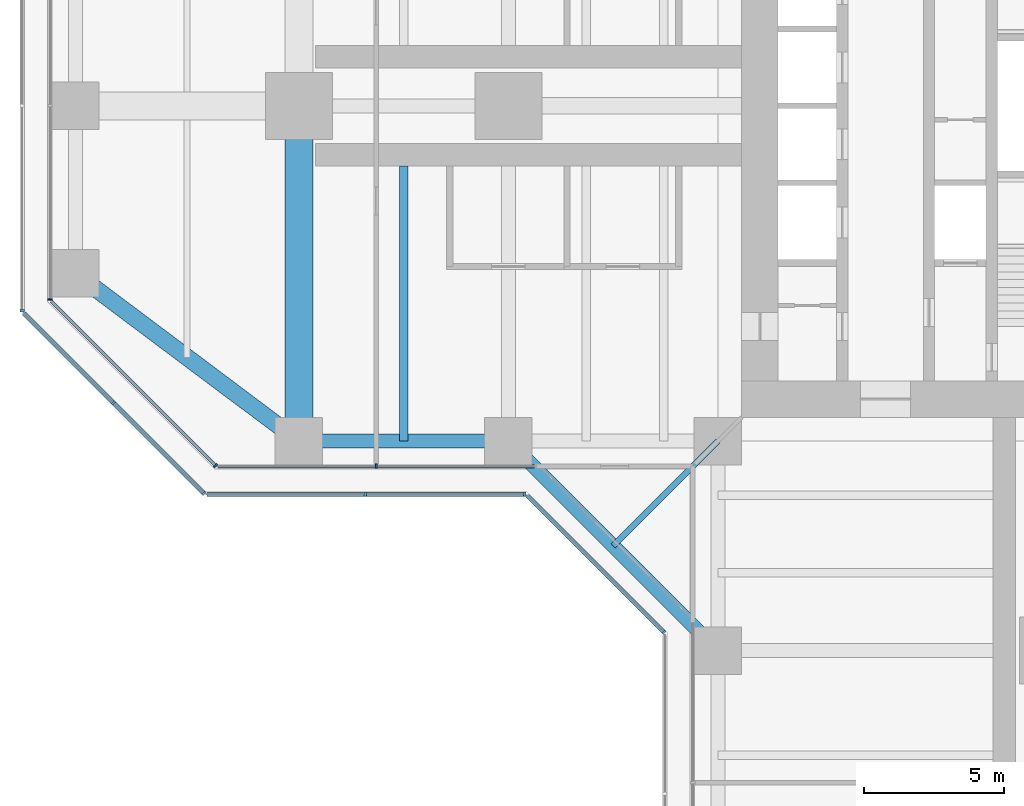
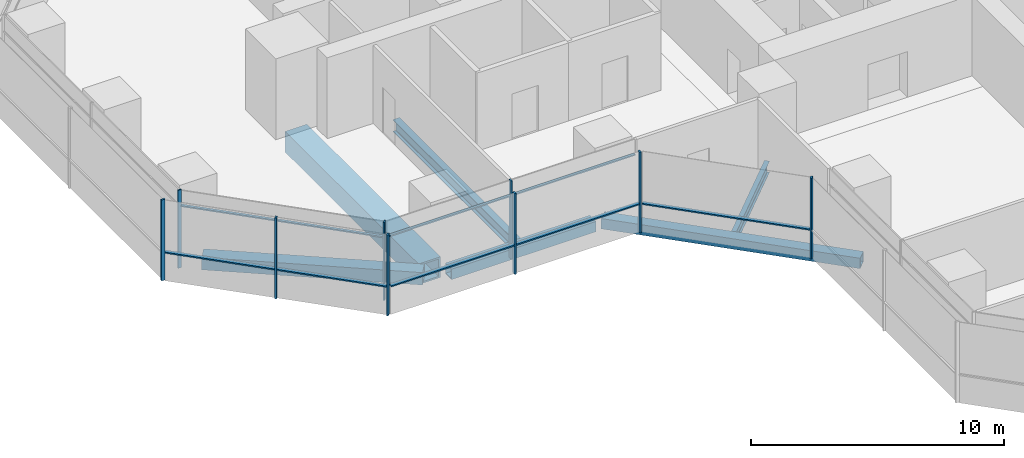
# One storey, part 3 of 22: 17 members, 6 beams, 7 elements without a shape of their own.
"""IFC4 building model written with IfcOpenShell, lengths in metres."""

from ifc_helpers import new_model, si_unit, direction, frame, origin, origin_2d, place, context, subcontext, project, spatial, rectangle, hollow_rectangle, i_section, extrude, material, material_profile, profile_set, type_object, element, aggregate, save


model = new_model("IFC4")

# Units and contexts
model_context = context("Model", 3, precision=1e-05, world=origin(), true_north=direction((0.0, 1.0)))
body_context = subcontext(model_context, "Body", "Model", "MODEL_VIEW")
ifc_project = project(units=[si_unit("LENGTHUNIT", "METRE"), si_unit("AREAUNIT", "SQUARE_METRE"), si_unit("VOLUMEUNIT", "CUBIC_METRE"), si_unit("PLANEANGLEUNIT", "RADIAN"), si_unit("MASSUNIT", "GRAM", prefix="KILO")], contexts=[model_context])

# Site, building, storey
site_placement = place(None, origin())
site = spatial("IfcSite", under=ifc_project, at=site_placement, CompositionType="ELEMENT")
building_placement = place(site_placement, origin())
building = spatial("IfcBuilding", under=site, at=building_placement, Name="Mizan Broadcast Tower", CompositionType="ELEMENT")
storey_placement = place(building_placement, frame((0.0, 0.0, 55.199951171875)))
storey = spatial("IfcBuildingStorey", under=building, at=storey_placement, Name="L10", CompositionType="ELEMENT", Elevation=55.199951171875)

# Beams
ifc_material_1 = material(Name="Steel S355", Category="steel")
ifc_material_profile_1 = material_profile(ifc_material_1, hollow_rectangle(XDim=0.5, YDim=0.5, WallThickness=0.030029296875, at=origin_2d()), Name="BOX 500x500x30")
ifc_profile_set_1 = profile_set([ifc_material_profile_1], Name="Steel S355")
beam_type_1 = type_object("IfcBeamType", Name="EDGE BEAM BOX 500x500x30", PredefinedType="SPANDREL", material=ifc_profile_set_1)
beam_1_placement = place(storey_placement, frame((-19.949951171875, -12.0, -0.3798828125), z_axis=(-1.0, 0.0, 0.0), x_axis=(0.0, -1.0, 0.0)))
element("IfcBeam", 1, at=beam_1_placement, inside=storey, type_object=beam_type_1, Name="Edge beam BOX 500x500x30 L10 west arm", PredefinedType="SPANDREL", context=body_context, shape_type="SweptSolid", body=[
    extrude(hollow_rectangle(XDim=0.5, YDim=0.5, WallThickness=0.030029296875, at=origin_2d()), origin(), (0.0, 0.0, 1.0), 6.60009765625),
])
beam_2_placement = place(storey_placement, frame((-19.5, -12.0, -0.3798828125), z_axis=(0.707106781187, -0.707106781187, 0.0), x_axis=(0.707106781187, 0.707106781187, 0.0)))
element("IfcBeam", 2, at=beam_2_placement, inside=storey, type_object=beam_type_1, Name="Winter garden edge beam L10 W", PredefinedType="SPANDREL", context=body_context, shape_type="SweptSolid", body=[
    extrude(hollow_rectangle(XDim=0.5, YDim=0.5, WallThickness=0.030029296875, at=origin_2d()), origin(), (0.0, 0.0, 1.0), 10.606689453125),
])
ifc_material_2 = material(Name="Steel S355", Category="steel")
ifc_material_profile_2 = material_profile(ifc_material_2, hollow_rectangle(XDim=0.60009765625, YDim=0.60009765625, WallThickness=0.030029296875, at=origin_2d()), Name="BOX 600x600x30")
ifc_profile_set_2 = profile_set([ifc_material_profile_2], Name="Steel S355")
beam_type_2 = type_object("IfcBeamType", Name="EDGE BEAM BOX 600x600x30", PredefinedType="SPANDREL", material=ifc_profile_set_2)
beam_3_placement = place(storey_placement, frame((-27.47998046875, -11.639892578125, -0.429931640625), z_axis=(-0.800013316712, 0.599982243973, 0.0), x_axis=(-0.599982243973, -0.800013316712, 0.0)))
element("IfcBeam", 3, at=beam_3_placement, inside=storey, type_object=beam_type_2, Name="Edge beam BOX 600x600x30 L10 west arm", PredefinedType="SPANDREL", context=body_context, shape_type="SweptSolid", body=[
    extrude(hollow_rectangle(XDim=0.60009765625, YDim=0.60009765625, WallThickness=0.030029296875, at=origin_2d()), origin(), (0.0, 0.0, 1.0), 8.7998046875),
])
ifc_material_3 = material(Name="Steel S460", Category="steel")
ifc_material_profile_3 = material_profile(ifc_material_3, hollow_rectangle(XDim=1.0, YDim=1.0, WallThickness=0.080078125, at=origin_2d()), Name="BOX 1000x1000x80")
ifc_profile_set_3 = profile_set([ifc_material_profile_3], Name="Steel S460")
beam_type_3 = type_object("IfcBeamType", Name="GIRDER BOX 1000x1000x80", PredefinedType="BEAM", material=ifc_profile_set_3)
beam_4_placement = place(storey_placement, frame((-27.0, -11.280029296875, -0.6298828125), z_axis=(0.0, 1.0, 0.0), x_axis=(-1.0, 0.0, 0.0)))
element("IfcBeam", 4, at=beam_4_placement, inside=storey, type_object=beam_type_3, Name="Girder BOX 1000x1000x80 L10 west arm", PredefinedType="BEAM", context=body_context, shape_type="SweptSolid", body=[
    extrude(hollow_rectangle(XDim=1.0, YDim=1.0, WallThickness=0.080078125, at=origin_2d()), origin(), (0.0, 0.0, 1.0), 10.56005859375),
])

# Curtain wall, member
ifc_material_4 = material(Name="Aluminium framed glazing", Category="aluminium")
curtain_wall_type_1 = type_object("IfcCurtainWallType", Name="INNER SKIN LOW ZONE", PredefinedType="USERDEFINED", material=ifc_material_4)
curtain_wall_1_placement = place(storey_placement, origin())
curtain_wall_1 = element("IfcCurtainWall", 5, at=curtain_wall_1_placement, inside=storey, type_object=curtain_wall_type_1, Name="Inner skin low zone L10 W end", ObjectType="INNER SKIN LOW ZONE", PredefinedType="USERDEFINED")
ifc_material_5 = material(Name="Aluminium, pale anodised", Category="aluminium")
ifc_material_profile_4 = material_profile(ifc_material_5, rectangle(XDim=0.159912109375, YDim=0.06005859375, at=origin_2d()), Name="MULLION 160x60")
ifc_profile_set_4 = profile_set([ifc_material_profile_4], Name="Aluminium, pale anodised")
member_type_1 = type_object("IfcMemberType", Name="INNER SKIN MULLION 60x160", PredefinedType="MULLION", material=ifc_profile_set_4)
member_1_placement = place(storey_placement, frame((-35.89990234375, -6.928466796875, 0.0), z_axis=(0.0, 0.0, 1.0), x_axis=(1.0, 0.0, 0.0)))
member_1 = element("IfcMember", 6, at=member_1_placement, type_object=member_type_1, Name="Inner skin low zone L10 W end mullion 3", PredefinedType="MULLION", context=body_context, shape_type="SweptSolid", body=[
    extrude(rectangle(XDim=0.159912109375, YDim=0.06005859375, at=origin_2d()), origin(), (0.0, 0.0, 1.0), 3.77001953125),
])
aggregate(curtain_wall_1, [member_1])

curtain_wall_2_placement = place(storey_placement, origin())
curtain_wall_2 = element("IfcCurtainWall", 7, at=curtain_wall_2_placement, inside=storey, type_object=curtain_wall_type_1, Name="Inner skin low zone L10 W chamfer", ObjectType="INNER SKIN LOW ZONE", PredefinedType="USERDEFINED")
member_2_placement = place(storey_placement, frame((-29.979736328125, -12.87890625, 0.0), z_axis=(0.0, 0.0, 1.0), x_axis=(0.707106781187, 0.707106781187, 0.0)))
member_2 = element("IfcMember", 8, at=member_2_placement, type_object=member_type_1, Name="Inner skin low zone L10 W chamfer mullion 2", PredefinedType="MULLION", context=body_context, shape_type="SweptSolid", body=[
    extrude(rectangle(XDim=0.159912109375, YDim=0.06005859375, at=origin_2d()), origin(), (0.0, 0.0, 1.0), 3.77001953125),
])

curtain_wall_3_placement = place(storey_placement, origin())
curtain_wall_3 = element("IfcCurtainWall", 9, at=curtain_wall_3_placement, inside=storey, type_object=curtain_wall_type_1, Name="Inner skin low zone L10 W side", ObjectType="INNER SKIN LOW ZONE", PredefinedType="USERDEFINED")
member_3_placement = place(storey_placement, frame((-24.229248046875, -12.89990234375, 0.0), z_axis=(0.0, 0.0, 1.0), x_axis=(0.0, 1.0, 0.0)))
member_3 = element("IfcMember", 10, at=member_3_placement, type_object=member_type_1, Name="Inner skin low zone L10 W side mullion 2", PredefinedType="MULLION", context=body_context, shape_type="SweptSolid", body=[
    extrude(rectangle(XDim=0.159912109375, YDim=0.06005859375, at=origin_2d()), origin(), (0.0, 0.0, 1.0), 3.77001953125),
])

# Member
ifc_material_6 = material(Name="Aluminium, pale anodised", Category="aluminium")
ifc_material_profile_5 = material_profile(ifc_material_6, rectangle(XDim=0.1201171875, YDim=0.06005859375, at=origin_2d()), Name="TRANSOM 120x60")
ifc_profile_set_5 = profile_set([ifc_material_profile_5], Name="Aluminium, pale anodised")
member_type_2 = type_object("IfcMemberType", Name="INNER SKIN TRANSOM 60x120", PredefinedType="USERDEFINED", material=ifc_profile_set_5)
member_4_placement = place(storey_placement, frame((-35.857666015625, -7.0009765625, 3.030029296875), z_axis=(0.707106781187, -0.707106781187, 0.0), x_axis=(0.707106781187, 0.707106781187, 0.0)))
member_4 = element("IfcMember", 11, at=member_4_placement, type_object=member_type_2, Name="Inner skin low zone L10 W chamfer transom 1.1", ObjectType="TRANSOM", PredefinedType="USERDEFINED", context=body_context, shape_type="SweptSolid", body=[
    extrude(rectangle(XDim=0.1201171875, YDim=0.06005859375, at=origin_2d()), origin(), (0.0, 0.0, 1.0), 8.28271484375),
])

aggregate(curtain_wall_2, [member_2, member_4])

member_5_placement = place(storey_placement, frame((-29.898681640625, -12.89990234375, 3.030029296875), z_axis=(1.0, 0.0, 0.0), x_axis=(0.0, 1.0, 0.0)))
member_5 = element("IfcMember", 12, at=member_5_placement, type_object=member_type_2, Name="Inner skin low zone L10 W side transom 1.1", ObjectType="TRANSOM", PredefinedType="USERDEFINED", context=body_context, shape_type="SweptSolid", body=[
    extrude(rectangle(XDim=0.1201171875, YDim=0.06005859375, at=origin_2d()), origin(), (0.0, 0.0, 1.0), 5.639404296875),
])

member_6_placement = place(storey_placement, frame((-24.19921875, -12.89990234375, 3.030029296875), z_axis=(1.0, 0.0, 0.0), x_axis=(0.0, 1.0, 0.0)))
member_6 = element("IfcMember", 13, at=member_6_placement, type_object=member_type_2, Name="Inner skin low zone L10 W side transom 2.1", ObjectType="TRANSOM", PredefinedType="USERDEFINED", context=body_context, shape_type="SweptSolid", body=[
    extrude(rectangle(XDim=0.1201171875, YDim=0.06005859375, at=origin_2d()), origin(), (0.0, 0.0, 1.0), 5.63916015625),
])

aggregate(curtain_wall_3, [member_3, member_5, member_6])

# Curtain wall, member
ifc_material_7 = material(Name="Aluminium framed glazing", Category="aluminium")
curtain_wall_type_2 = type_object("IfcCurtainWallType", Name="OUTER SKIN", PredefinedType="USERDEFINED", material=ifc_material_7)
curtain_wall_4_placement = place(storey_placement, origin())
curtain_wall_4 = element("IfcCurtainWall", 14, at=curtain_wall_4_placement, inside=storey, type_object=curtain_wall_type_2, Name="Outer skin L10 W end", ObjectType="OUTER SKIN", PredefinedType="USERDEFINED")
ifc_material_8 = material(Name="Aluminium, pale anodised", Category="aluminium")
ifc_material_profile_6 = material_profile(ifc_material_8, rectangle(XDim=0.159912109375, YDim=0.080078125, at=origin_2d()), Name="MULLION 160x80")
ifc_profile_set_6 = profile_set([ifc_material_profile_6], Name="Aluminium, pale anodised")
member_type_3 = type_object("IfcMemberType", Name="OUTER SKIN MULLION 80x160", PredefinedType="MULLION", material=ifc_profile_set_6)
member_7_placement = place(storey_placement, frame((-36.89990234375, -7.332763671875, 0.0), z_axis=(0.0, 0.0, 1.0), x_axis=(1.0, 0.0, 0.0)))
member_7 = element("IfcMember", 15, at=member_7_placement, type_object=member_type_3, Name="Outer skin L10 W end mullion 3", PredefinedType="MULLION", context=body_context, shape_type="SweptSolid", body=[
    extrude(rectangle(XDim=0.159912109375, YDim=0.080078125, at=origin_2d()), origin(), (0.0, 0.0, 1.0), 3.900146484375),
])
aggregate(curtain_wall_4, [member_7])

# Curtain wall, members
curtain_wall_5_placement = place(storey_placement, origin())
curtain_wall_5 = element("IfcCurtainWall", 16, at=curtain_wall_5_placement, inside=storey, type_object=curtain_wall_type_2, Name="Outer skin L10 W chamfer", ObjectType="OUTER SKIN", PredefinedType="USERDEFINED")
member_8_placement = place(storey_placement, frame((-33.636474609375, -10.636474609375, 0.0), z_axis=(0.0, 0.0, 1.0), x_axis=(0.707106781187, 0.707106781187, 0.0)))
member_8 = element("IfcMember", 17, at=member_8_placement, type_object=member_type_3, Name="Outer skin L10 W chamfer mullion 2", PredefinedType="MULLION", context=body_context, shape_type="SweptSolid", body=[
    extrude(rectangle(XDim=0.159912109375, YDim=0.080078125, at=origin_2d()), origin(), (0.0, 0.0, 1.0), 3.900146484375),
])
member_9_placement = place(storey_placement, frame((-30.401123046875, -13.871826171875, 0.0), z_axis=(0.0, 0.0, 1.0), x_axis=(0.707106781187, 0.707106781187, 0.0)))
member_9 = element("IfcMember", 18, at=member_9_placement, type_object=member_type_3, Name="Outer skin L10 W chamfer mullion 3", PredefinedType="MULLION", context=body_context, shape_type="SweptSolid", body=[
    extrude(rectangle(XDim=0.159912109375, YDim=0.080078125, at=origin_2d()), origin(), (0.0, 0.0, 1.0), 3.900146484375),
])

curtain_wall_6_placement = place(storey_placement, origin())
curtain_wall_6 = element("IfcCurtainWall", 19, at=curtain_wall_6_placement, inside=storey, type_object=curtain_wall_type_2, Name="Outer skin L10 W side", ObjectType="OUTER SKIN", PredefinedType="USERDEFINED")
member_10_placement = place(storey_placement, frame((-24.622802734375, -13.89990234375, 0.0), z_axis=(0.0, 0.0, 1.0), x_axis=(0.0, 1.0, 0.0)))
member_10 = element("IfcMember", 20, at=member_10_placement, type_object=member_type_3, Name="Outer skin L10 W side mullion 2", PredefinedType="MULLION", context=body_context, shape_type="SweptSolid", body=[
    extrude(rectangle(XDim=0.159912109375, YDim=0.080078125, at=origin_2d()), origin(), (0.0, 0.0, 1.0), 3.900146484375),
])
member_11_placement = place(storey_placement, frame((-18.912841796875, -13.89990234375, 0.0), z_axis=(0.0, 0.0, 1.0), x_axis=(0.0, 1.0, 0.0)))
member_11 = element("IfcMember", 21, at=member_11_placement, type_object=member_type_3, Name="Outer skin L10 W side mullion 3", PredefinedType="MULLION", context=body_context, shape_type="SweptSolid", body=[
    extrude(rectangle(XDim=0.159912109375, YDim=0.080078125, at=origin_2d()), origin(), (0.0, 0.0, 1.0), 3.900146484375),
])

# Curtain wall, member
curtain_wall_7_placement = place(storey_placement, origin())
curtain_wall_7 = element("IfcCurtainWall", 22, at=curtain_wall_7_placement, inside=storey, type_object=curtain_wall_type_2, Name="Outer skin L10 W chamfer", ObjectType="OUTER SKIN", PredefinedType="USERDEFINED")
member_12_placement = place(storey_placement, frame((-13.92822265625, -18.844482421875, 0.0), z_axis=(0.0, 0.0, 1.0), x_axis=(0.707106781187, 0.707106781187, 0.0)))
member_12 = element("IfcMember", 23, at=member_12_placement, type_object=member_type_3, Name="Outer skin L10 W chamfer mullion 2", PredefinedType="MULLION", context=body_context, shape_type="SweptSolid", body=[
    extrude(rectangle(XDim=0.159912109375, YDim=0.080078125, at=origin_2d()), origin(), (0.0, 0.0, 1.0), 3.900146484375),
])

# Member
ifc_material_9 = material(Name="Aluminium, pale anodised", Category="aluminium")
ifc_material_profile_7 = material_profile(ifc_material_9, rectangle(XDim=0.159912109375, YDim=0.06005859375, at=origin_2d()), Name="TRANSOM 160x60")
ifc_profile_set_7 = profile_set([ifc_material_profile_7], Name="Aluminium, pale anodised")
member_type_4 = type_object("IfcMemberType", Name="OUTER SKIN TRANSOM 60x160", PredefinedType="USERDEFINED", material=ifc_profile_set_7)
member_13_placement = place(storey_placement, frame((-36.843505859375, -7.429443359375, 1.400146484375), z_axis=(0.707106781187, -0.707106781187, 0.0), x_axis=(0.707106781187, 0.707106781187, 0.0)))
member_13 = element("IfcMember", 24, at=member_13_placement, type_object=member_type_4, Name="Outer skin L10 W chamfer transom 1.1", ObjectType="TRANSOM", PredefinedType="USERDEFINED", context=body_context, shape_type="SweptSolid", body=[
    extrude(rectangle(XDim=0.159912109375, YDim=0.06005859375, at=origin_2d()), origin(), (0.0, 0.0, 1.0), 4.495361328125),
])

member_14_placement = place(storey_placement, frame((-33.608154296875, -10.664794921875, 1.400146484375), z_axis=(0.707106781187, -0.707106781187, 0.0), x_axis=(0.707106781187, 0.707106781187, 0.0)))
member_14 = element("IfcMember", 25, at=member_14_placement, type_object=member_type_4, Name="Outer skin L10 W chamfer transom 2.1", ObjectType="TRANSOM", PredefinedType="USERDEFINED", context=body_context, shape_type="SweptSolid", body=[
    extrude(rectangle(XDim=0.159912109375, YDim=0.06005859375, at=origin_2d()), origin(), (0.0, 0.0, 1.0), 4.495361328125),
])

aggregate(curtain_wall_5, [member_8, member_9, member_13, member_14])

member_15_placement = place(storey_placement, frame((-30.292724609375, -13.89990234375, 1.400146484375), z_axis=(1.0, 0.0, 0.0), x_axis=(0.0, 1.0, 0.0)))
member_15 = element("IfcMember", 26, at=member_15_placement, type_object=member_type_4, Name="Outer skin L10 W side transom 1.1", ObjectType="TRANSOM", PredefinedType="USERDEFINED", context=body_context, shape_type="SweptSolid", body=[
    extrude(rectangle(XDim=0.159912109375, YDim=0.06005859375, at=origin_2d()), origin(), (0.0, 0.0, 1.0), 5.6298828125),
])

member_16_placement = place(storey_placement, frame((-24.582763671875, -13.89990234375, 1.400146484375), z_axis=(1.0, 0.0, 0.0), x_axis=(0.0, 1.0, 0.0)))
member_16 = element("IfcMember", 27, at=member_16_placement, type_object=member_type_4, Name="Outer skin L10 W side transom 2.1", ObjectType="TRANSOM", PredefinedType="USERDEFINED", context=body_context, shape_type="SweptSolid", body=[
    extrude(rectangle(XDim=0.159912109375, YDim=0.06005859375, at=origin_2d()), origin(), (0.0, 0.0, 1.0), 5.6298828125),
])

aggregate(curtain_wall_6, [member_10, member_11, member_15, member_16])

member_17_placement = place(storey_placement, frame((-18.816162109375, -13.95654296875, 1.400146484375), z_axis=(0.707106781187, -0.707106781187, 0.0), x_axis=(0.707106781187, 0.707106781187, 0.0)))
member_17 = element("IfcMember", 28, at=member_17_placement, type_object=member_type_4, Name="Outer skin L10 W chamfer transom 1.1", ObjectType="TRANSOM", PredefinedType="USERDEFINED", context=body_context, shape_type="SweptSolid", body=[
    extrude(rectangle(XDim=0.159912109375, YDim=0.06005859375, at=origin_2d()), origin(), (0.0, 0.0, 1.0), 6.87255859375),
])

aggregate(curtain_wall_7, [member_12, member_17])

# Beams
ifc_material_10 = material(Name="Steel S355", Category="steel")
ifc_material_profile_8 = material_profile(ifc_material_10, i_section(OverallWidth=0.300048828125, OverallDepth=0.590087890625, WebThickness=0.012939453125, FlangeThickness=0.02490234375, FilletRadius=0.027099609375, at=origin_2d()), Name="HEA 600")
ifc_profile_set_8 = profile_set([ifc_material_profile_8], Name="Steel S355")
beam_type_4 = type_object("IfcBeamType", Name="SECONDARY BEAM HEA 600", PredefinedType="JOIST", material=ifc_profile_set_8)
beam_5_placement = place(storey_placement, frame((-23.25, -12.0, -0.425048828125), z_axis=(0.0, 1.0, 0.0), x_axis=(-1.0, 0.0, 0.0)))
element("IfcBeam", 29, at=beam_5_placement, inside=storey, type_object=beam_type_4, Name="Secondary beam HEA 600 L10 west arm", PredefinedType="JOIST", context=body_context, shape_type="SweptSolid", body=[
    extrude(i_section(OverallWidth=0.300048828125, OverallDepth=0.590087890625, WebThickness=0.012939453125, FlangeThickness=0.02490234375, FilletRadius=0.027099609375, at=origin_2d()), origin(), (0.0, 0.0, 1.0), 9.85009765625),
])
ifc_material_11 = material(Name="Steel S355", Category="steel")
ifc_material_profile_9 = material_profile(ifc_material_11, i_section(OverallWidth=0.2099609375, OverallDepth=0.550048828125, WebThickness=0.010986328125, FlangeThickness=0.01708984375, FilletRadius=0.02392578125, at=origin_2d()), Name="IPE 550")
ifc_profile_set_9 = profile_set([ifc_material_profile_9], Name="Steel S355")
beam_type_5 = type_object("IfcBeamType", Name="SECONDARY BEAM IPE 550", PredefinedType="JOIST", material=ifc_profile_set_9)
beam_6_placement = place(storey_placement, frame((-12.0, -12.0, -0.405029296875), z_axis=(-0.707106781187, -0.707106781187, 0.0), x_axis=(0.707106781187, -0.707106781187, 0.0)))
element("IfcBeam", 30, at=beam_6_placement, inside=storey, type_object=beam_type_5, Name="Winter garden beam L10 W", PredefinedType="JOIST", context=body_context, shape_type="SweptSolid", body=[
    extrude(i_section(OverallWidth=0.2099609375, OverallDepth=0.550048828125, WebThickness=0.010986328125, FlangeThickness=0.01708984375, FilletRadius=0.02392578125, at=origin_2d()), origin(), (0.0, 0.0, 1.0), 5.30322265625),
])

save(model, "model.ifc")
